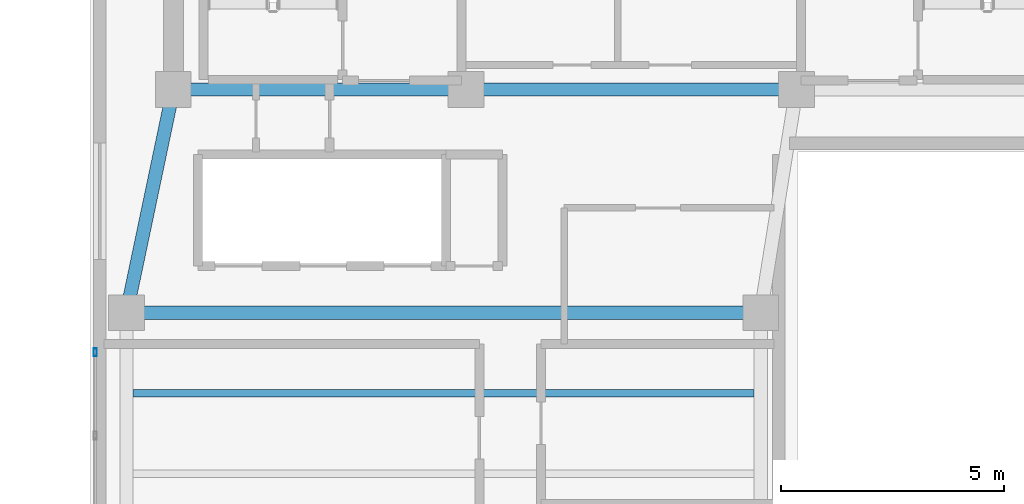
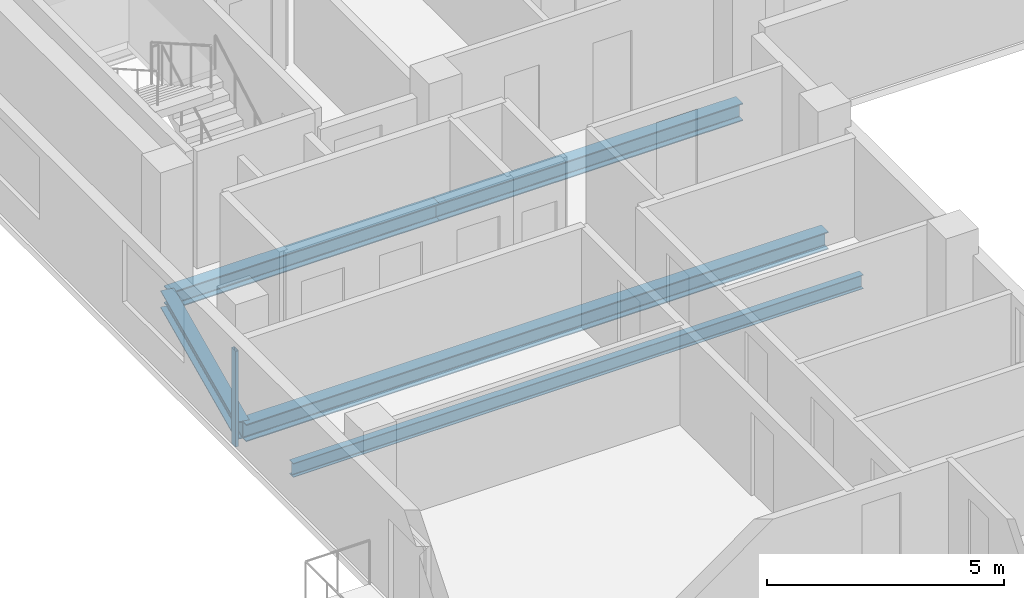
# One storey, part 5 of 9: 5 beams, 1 member, 1 element without a shape of its own.
"""IFC4 building model written with IfcOpenShell, lengths in metres."""

from ifc_helpers import new_model, si_unit, direction, frame, origin, origin_2d, place, context, subcontext, project, spatial, hollow_rectangle, i_section, extrude, material, material_profile, profile_set, type_object, element, aggregate, save


model = new_model("IFC4")

# Units and contexts
model_context = context("Model", 3, precision=1e-05, world=origin(), true_north=direction((0.0, 1.0)))
body_context = subcontext(model_context, "Body", "Model", "MODEL_VIEW")
ifc_project = project(units=[si_unit("LENGTHUNIT", "METRE"), si_unit("AREAUNIT", "SQUARE_METRE"), si_unit("VOLUMEUNIT", "CUBIC_METRE"), si_unit("PLANEANGLEUNIT", "RADIAN"), si_unit("MASSUNIT", "GRAM", prefix="KILO")], contexts=[model_context])

# Site, building, storey
site_placement = place(None, origin())
site = spatial("IfcSite", under=ifc_project, at=site_placement, CompositionType="ELEMENT")
building_placement = place(site_placement, origin())
building = spatial("IfcBuilding", under=site, at=building_placement, Name="Kuzgunbayir Cultural Tower", CompositionType="ELEMENT")
storey_placement = place(building_placement, frame((0.0, 0.0, 240.800048828125)))
storey = spatial("IfcBuildingStorey", under=building, at=storey_placement, Name="L71", CompositionType="ELEMENT", Elevation=240.800048828125)

# Beams
ifc_material_1 = material(Name="Steel S355J2", Category="steel")
ifc_material_profile_1 = material_profile(ifc_material_1, i_section(OverallWidth=0.300048828125, OverallDepth=0.449951171875, WebThickness=0.013916015625, FlangeThickness=0.02587890625, FilletRadius=0.027099609375, at=origin_2d()), Name="HEB 450")
ifc_profile_set_1 = profile_set([ifc_material_profile_1], Name="Steel S355J2")
beam_type_1 = type_object("IfcBeamType", Name="BM-GIR-HEB450", PredefinedType="BEAM", material=ifc_profile_set_1)
beam_1_placement = place(storey_placement, frame((6.449951171875, 33.800048828125, -0.400146484375), z_axis=(1.0, 0.0, 0.0), x_axis=(0.0, 1.0, 0.0)))
element("IfcBeam", 1, at=beam_1_placement, inside=storey, type_object=beam_type_1, Name="L71 Core South Girder 1", PredefinedType="BEAM", context=body_context, shape_type="SweptSolid", body=[
    extrude(i_section(OverallWidth=0.300048828125, OverallDepth=0.449951171875, WebThickness=0.013916015625, FlangeThickness=0.02587890625, FilletRadius=0.027099609375, at=origin_2d()), origin(), (0.0, 0.0, 1.0), 6.550048828125),
])
beam_2_placement = place(storey_placement, frame((13.0, 33.800048828125, -0.400146484375), z_axis=(1.0, 0.0, 0.0), x_axis=(0.0, 1.0, 0.0)))
element("IfcBeam", 2, at=beam_2_placement, inside=storey, type_object=beam_type_1, Name="L71 Core South Girder 2", PredefinedType="BEAM", context=body_context, shape_type="SweptSolid", body=[
    extrude(i_section(OverallWidth=0.300048828125, OverallDepth=0.449951171875, WebThickness=0.013916015625, FlangeThickness=0.02587890625, FilletRadius=0.027099609375, at=origin_2d()), origin(), (0.0, 0.0, 1.0), 7.39990234375),
])
beam_3_placement = place(storey_placement, frame((5.39990234375, 28.800048828125, -0.400146484375), z_axis=(1.0, 0.0, 0.0), x_axis=(0.0, 1.0, 0.0)))
element("IfcBeam", 3, at=beam_3_placement, inside=storey, type_object=beam_type_1, Name="L71 Wing A Transverse Girder 4", PredefinedType="BEAM", context=body_context, shape_type="SweptSolid", body=[
    extrude(i_section(OverallWidth=0.300048828125, OverallDepth=0.449951171875, WebThickness=0.013916015625, FlangeThickness=0.02587890625, FilletRadius=0.027099609375, at=origin_2d()), origin(), (0.0, 0.0, 1.0), 14.2001953125),
])
beam_4_placement = place(storey_placement, frame((5.39990234375, 28.800048828125, -0.400146484375), z_axis=(0.205526387753, 0.978651574329, 0.0), x_axis=(-0.978651574329, 0.205526387753, 0.0)))
element("IfcBeam", 4, at=beam_4_placement, inside=storey, type_object=beam_type_1, Name="L71 Wing A West Core Floor Girder", PredefinedType="BEAM", context=body_context, shape_type="SweptSolid", body=[
    extrude(i_section(OverallWidth=0.300048828125, OverallDepth=0.449951171875, WebThickness=0.013916015625, FlangeThickness=0.02587890625, FilletRadius=0.027099609375, at=origin_2d()), origin(), (0.0, 0.0, 1.0), 5.109130859375),
])
ifc_material_profile_2 = material_profile(ifc_material_1, i_section(OverallWidth=0.169921875, OverallDepth=0.360107421875, WebThickness=0.008056640625, FlangeThickness=0.0126953125, FilletRadius=0.01806640625, at=origin_2d()), Name="IPE 360")
ifc_profile_set_2 = profile_set([ifc_material_profile_2], Name="Steel S355J2")
beam_type_2 = type_object("IfcBeamType", Name="BM-JST-IPE360", PredefinedType="JOIST", material=ifc_profile_set_2)
beam_5_placement = place(storey_placement, frame((5.550048828125, 27.0, -0.360107421875), z_axis=(1.0, 0.0, 0.0), x_axis=(0.0, 1.0, 0.0)))
element("IfcBeam", 5, at=beam_5_placement, inside=storey, type_object=beam_type_2, Name="L71 Wing A Secondary Joist 6", PredefinedType="JOIST", context=body_context, shape_type="SweptSolid", body=[
    extrude(i_section(OverallWidth=0.169921875, OverallDepth=0.360107421875, WebThickness=0.008056640625, FlangeThickness=0.0126953125, FilletRadius=0.01806640625, at=origin_2d()), origin(), (0.0, 0.0, 1.0), 13.89990234375),
])

# Curtain wall, member
ifc_material_2 = material(Name="Anodised Aluminium Framing", Category="aluminium")
curtain_wall_type = type_object("IfcCurtainWallType", Name="CW06-OBSERVATORY", PredefinedType="NOTDEFINED", material=ifc_material_2)
curtain_wall_placement = place(storey_placement, origin())
curtain_wall = element("IfcCurtainWall", 6, at=curtain_wall_placement, inside=storey, type_object=curtain_wall_type, Name="L71 Crown Observatory West Curtain Wall", PredefinedType="NOTDEFINED")
ifc_material_profile_3 = material_profile(ifc_material_2, hollow_rectangle(XDim=0.074951171875, YDim=0.179931640625, WallThickness=0.0048828125, at=origin_2d()), Name="RHS 180x75x5")
ifc_profile_set_3 = profile_set([ifc_material_profile_3], Name="Anodised Aluminium Framing")
member_type = type_object("IfcMemberType", Name="MEM-CW-MULLION-180", PredefinedType="MULLION", material=ifc_profile_set_3)
member_placement = place(storey_placement, frame((4.699951171875, 27.91259765625, 0.0), z_axis=(0.0, 0.0, 1.0), x_axis=(-1.0, 0.0, 0.0)))
member = element("IfcMember", 7, at=member_placement, type_object=member_type, Name="CW06 mullion 3", PredefinedType="MULLION", context=body_context, shape_type="SweptSolid", body=[
    extrude(hollow_rectangle(XDim=0.074951171875, YDim=0.179931640625, WallThickness=0.0048828125, at=origin_2d()), origin(), (0.0, 0.0, 1.0), 2.469970703125),
])
aggregate(curtain_wall, [member])

save(model, "model.ifc")
